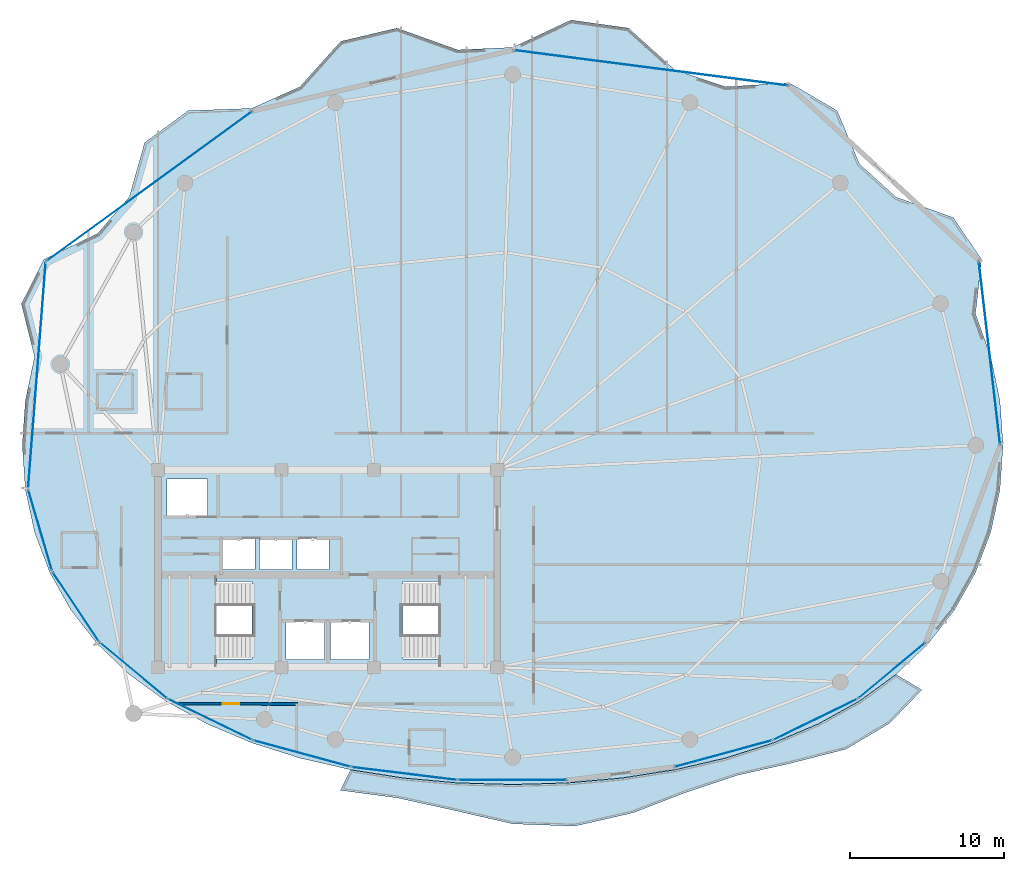
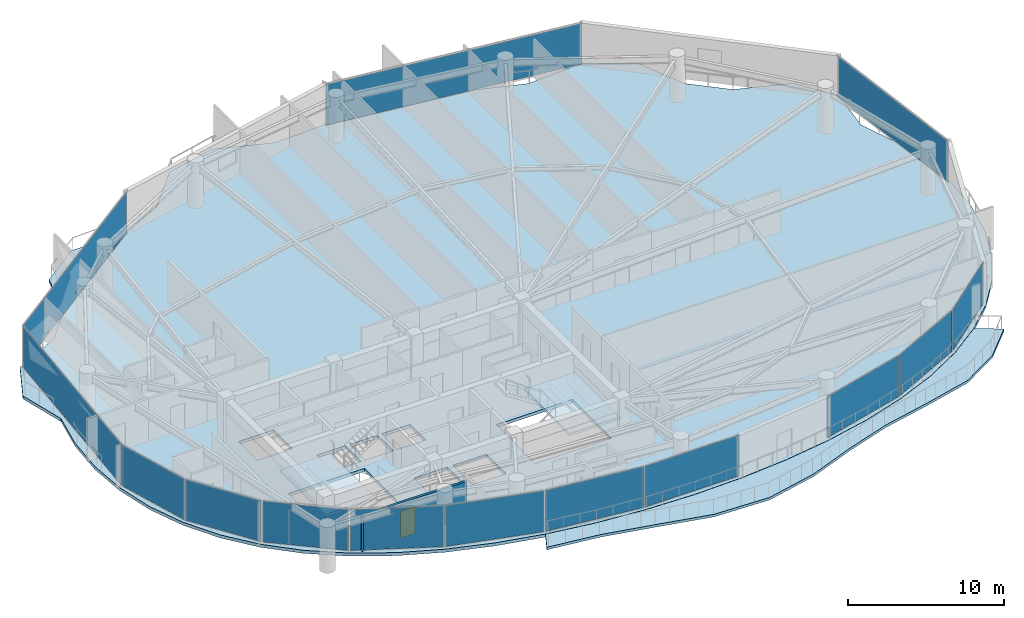
# One storey, part 24 of 31: 14 plates, 4 slabs, 1 door, 1 wall, 1 opening, 16 elements without a shape of their own.
"""IFC4 building model written with IfcOpenShell, lengths in metres."""

from ifc_helpers import new_model, si_unit, direction, frame, frame_2d, origin, origin_2d, place, context, subcontext, project, spatial, polyline, rectangle, outline, extrude, material, layer, layer_set, type_object, element, fill, aggregate, save


model = new_model("IFC4")

# Units and contexts
model_context = context("Model", 3, precision=1e-05, world=origin(), true_north=direction((0.0, 1.0)))
body_context = subcontext(model_context, "Body", "Model", "MODEL_VIEW")
ifc_project = project(units=[si_unit("LENGTHUNIT", "METRE"), si_unit("AREAUNIT", "SQUARE_METRE"), si_unit("VOLUMEUNIT", "CUBIC_METRE"), si_unit("PLANEANGLEUNIT", "RADIAN"), si_unit("MASSUNIT", "GRAM", prefix="KILO")], contexts=[model_context])

# Site, building, storey
site_placement = place(None, origin())
site = spatial("IfcSite", under=ifc_project, at=site_placement, CompositionType="ELEMENT")
building_placement = place(site_placement, origin())
building = spatial("IfcBuilding", under=site, at=building_placement, Name="Kazevale Care Tower and Concert Hall", CompositionType="ELEMENT")
storey_placement = place(building_placement, frame((0.0, 0.0, 220.800048828125)))
storey = spatial("IfcBuildingStorey", under=building, at=storey_placement, Name="L58", CompositionType="ELEMENT", Elevation=220.800048828125)

# Curtain wall, plate
ifc_material_1 = material(Name="Aluminium 6063-T6 and Low-E Glass", Category="aluminium")
ifc_layer_1 = layer(ifc_material_1, 0.179931640625)
ifc_layer_set_1 = layer_set([ifc_layer_1], Name="Aluminium 6063-T6 and Low-E Glass")
curtain_wall_type_1 = type_object("IfcCurtainWallType", Name="Waist & Upper Residential Curtain Wall CW-4", PredefinedType="NOTDEFINED", material=ifc_layer_set_1)
curtain_wall_1_placement = place(storey_placement, origin())
curtain_wall_1 = element("IfcCurtainWall", 1, at=curtain_wall_1_placement, inside=storey, type_object=curtain_wall_type_1, Name="cw:L58:f11", PredefinedType="NOTDEFINED")
ifc_material_2 = material(Name="Low-E Laminated Glass", Category="glass")
ifc_layer_2 = layer(ifc_material_2, 0.030029296875)
ifc_layer_set_2 = layer_set([ifc_layer_2], Name="Low-E Laminated Glass")
plate_type_1 = type_object("IfcPlateType", Name="CW-4 Low-E Glazing Panel 30mm", PredefinedType="CURTAIN_PANEL", material=ifc_layer_set_2)
plate_1_placement = place(storey_placement, frame((16.677978515625, 27.525390625, 0.080078125), z_axis=(0.0, 0.0, 1.0), x_axis=(-0.554616540853, 0.832106058512, 0.0)))
plate_1 = element("IfcPlate", 2, at=plate_1_placement, type_object=plate_type_1, Name="CW-4 panel 1.1", PredefinedType="CURTAIN_PANEL", context=body_context, shape_type="SweptSolid", body=[
    extrude(rectangle(XDim=5.357421875, YDim=0.030029296875, at=origin_2d()), origin(), (0.0, 0.0, 1.0), 3.199951171875),
])
aggregate(curtain_wall_1, [plate_1])

curtain_wall_2_placement = place(storey_placement, origin())
curtain_wall_2 = element("IfcCurtainWall", 3, at=curtain_wall_2_placement, inside=storey, type_object=curtain_wall_type_1, Name="cw:L58:f12", PredefinedType="NOTDEFINED")
plate_2_placement = place(storey_placement, frame((14.363525390625, 32.489013671875, 0.080078125), z_axis=(0.0, 0.0, 1.0), x_axis=(-0.282098184457, 0.959385539982, 0.0)))
plate_2 = element("IfcPlate", 4, at=plate_2_placement, type_object=plate_type_1, Name="CW-4 panel 1.1", PredefinedType="CURTAIN_PANEL", context=body_context, shape_type="SweptSolid", body=[
    extrude(rectangle(XDim=5.40185546875, YDim=0.030029296875, at=origin_2d()), origin(), (0.0, 0.0, 1.0), 3.199951171875),
])
aggregate(curtain_wall_2, [plate_2])

curtain_wall_3_placement = place(storey_placement, origin())
curtain_wall_3 = element("IfcCurtainWall", 5, at=curtain_wall_3_placement, inside=storey, type_object=curtain_wall_type_1, Name="cw:L58:f13", PredefinedType="NOTDEFINED")
plate_3_placement = place(storey_placement, frame((14.152587890625, 42.531005859375, 0.080078125), z_axis=(0.0, 0.0, 1.0), x_axis=(0.077539106325, 0.996989311372, 0.0)))
plate_3 = element("IfcPlate", 6, at=plate_3_placement, type_object=plate_type_1, Name="CW-4 panel 1.1", PredefinedType="CURTAIN_PANEL", context=body_context, shape_type="SweptSolid", body=[
    extrude(rectangle(XDim=14.632568359375, YDim=0.030029296875, at=origin_2d()), origin(), (0.0, 0.0, 1.0), 3.199951171875),
])
aggregate(curtain_wall_3, [plate_3])

curtain_wall_4_placement = place(storey_placement, origin())
curtain_wall_4 = element("IfcCurtainWall", 7, at=curtain_wall_4_placement, inside=storey, type_object=curtain_wall_type_1, Name="cw:L58:f14", PredefinedType="NOTDEFINED")
plate_4_placement = place(storey_placement, frame((21.424560546875, 54.785888671875, 0.080078125), z_axis=(0.0, 0.0, 1.0), x_axis=(0.808198348937, 0.588910374145, 0.0)))
plate_4 = element("IfcPlate", 8, at=plate_4_placement, type_object=plate_type_1, Name="CW-4 panel 1.1", PredefinedType="CURTAIN_PANEL", context=body_context, shape_type="SweptSolid", body=[
    extrude(rectangle(XDim=16.416259765625, YDim=0.030029296875, at=origin_2d()), origin(), (0.0, 0.0, 1.0), 3.199951171875),
])
aggregate(curtain_wall_4, [plate_4])

curtain_wall_5_placement = place(storey_placement, origin())
curtain_wall_5 = element("IfcCurtainWall", 9, at=curtain_wall_5_placement, inside=storey, type_object=curtain_wall_type_1, Name="cw:L58:f16", PredefinedType="NOTDEFINED")
plate_5_placement = place(storey_placement, frame((53.978515625, 62.468017578125, 0.080078125), z_axis=(0.0, 0.0, 1.0), x_axis=(0.991761497713, -0.128098132904, 0.0)))
plate_5 = element("IfcPlate", 10, at=plate_5_placement, type_object=plate_type_1, Name="CW-4 panel 1.1", PredefinedType="CURTAIN_PANEL", context=body_context, shape_type="SweptSolid", body=[
    extrude(rectangle(XDim=17.857421875, YDim=0.030029296875, at=origin_2d()), origin(), (0.0, 0.0, 1.0), 3.199951171875),
])
aggregate(curtain_wall_5, [plate_5])

curtain_wall_6_placement = place(storey_placement, origin())
curtain_wall_6 = element("IfcCurtainWall", 11, at=curtain_wall_6_placement, inside=storey, type_object=curtain_wall_type_1, Name="cw:L58:f18", PredefinedType="NOTDEFINED")
plate_6_placement = place(storey_placement, frame((75.92041015625, 43.99755859375, 0.080078125), z_axis=(0.0, 0.0, 1.0), x_axis=(0.115846659989, -0.993267109779, 0.0)))
plate_6 = element("IfcPlate", 12, at=plate_6_placement, type_object=plate_type_1, Name="CW-4 panel 1.1", PredefinedType="CURTAIN_PANEL", context=body_context, shape_type="SweptSolid", body=[
    extrude(rectangle(XDim=11.916259765625, YDim=0.030029296875, at=origin_2d()), origin(), (0.0, 0.0, 1.0), 3.199951171875),
])
aggregate(curtain_wall_6, [plate_6])

ifc_layer_3 = layer(ifc_material_1, 0.179931640625)
ifc_layer_set_3 = layer_set([ifc_layer_3], Name="Aluminium 6063-T6 and Low-E Glass")
curtain_wall_type_2 = type_object("IfcCurtainWallType", Name="Sheltered Concave Balcony Curtain Wall CW-5", PredefinedType="NOTDEFINED", material=ifc_layer_set_3)
curtain_wall_7_placement = place(storey_placement, origin())
curtain_wall_7 = element("IfcCurtainWall", 13, at=curtain_wall_7_placement, inside=storey, type_object=curtain_wall_type_2, Name="cw:L58:f02", PredefinedType="NOTDEFINED")
ifc_layer_4 = layer(ifc_material_2, 0.02587890625)
ifc_layer_set_4 = layer_set([ifc_layer_4], Name="Low-E Laminated Glass")
plate_type_2 = type_object("IfcPlateType", Name="CW-5 Low-E Glazing Panel 26mm", PredefinedType="CURTAIN_PANEL", material=ifc_layer_set_4)
plate_7_placement = place(storey_placement, frame((69.590576171875, 23.396484375, 0.074951171875), z_axis=(0.0, 0.0, 1.0), x_axis=(-0.768407210062, -0.639961217204, 0.0)))
plate_7 = element("IfcPlate", 14, at=plate_7_placement, type_object=plate_type_2, Name="CW-5 panel 1.1", PredefinedType="CURTAIN_PANEL", context=body_context, shape_type="SweptSolid", body=[
    extrude(rectangle(XDim=5.580078125, YDim=0.02587890625, at=origin_2d()), origin(), (0.0, 0.0, 1.0), 3.2099609375),
])
aggregate(curtain_wall_7, [plate_7])

curtain_wall_8_placement = place(storey_placement, origin())
curtain_wall_8 = element("IfcCurtainWall", 15, at=curtain_wall_8_placement, inside=storey, type_object=curtain_wall_type_2, Name="cw:L58:f03", PredefinedType="NOTDEFINED")
plate_8_placement = place(storey_placement, frame((64.62255859375, 20.218017578125, 0.074951171875), z_axis=(0.0, 0.0, 1.0), x_axis=(-0.89934566163, -0.437238357087, 0.0)))
plate_8 = element("IfcPlate", 16, at=plate_8_placement, type_object=plate_type_2, Name="CW-5 panel 1.1", PredefinedType="CURTAIN_PANEL", context=body_context, shape_type="SweptSolid", body=[
    extrude(rectangle(XDim=6.002197265625, YDim=0.02587890625, at=origin_2d()), origin(), (0.0, 0.0, 1.0), 3.2099609375),
])
aggregate(curtain_wall_8, [plate_8])

curtain_wall_9_placement = place(storey_placement, origin())
curtain_wall_9 = element("IfcCurtainWall", 17, at=curtain_wall_9_placement, inside=storey, type_object=curtain_wall_type_2, Name="cw:L58:f04", PredefinedType="NOTDEFINED")
plate_9_placement = place(storey_placement, frame((58.66259765625, 18.0029296875, 0.074951171875), z_axis=(0.0, 0.0, 1.0), x_axis=(-0.964836991167, -0.262848968947, 0.0)))
plate_9 = element("IfcPlate", 18, at=plate_9_placement, type_object=plate_type_2, Name="CW-5 panel 1.1", PredefinedType="CURTAIN_PANEL", context=body_context, shape_type="SweptSolid", body=[
    extrude(rectangle(XDim=6.4697265625, YDim=0.02587890625, at=origin_2d()), origin(), (0.0, 0.0, 1.0), 3.2099609375),
])
aggregate(curtain_wall_9, [plate_9])

curtain_wall_10_placement = place(storey_placement, origin())
curtain_wall_10 = element("IfcCurtainWall", 19, at=curtain_wall_10_placement, inside=storey, type_object=curtain_wall_type_2, Name="cw:L58:f06", PredefinedType="NOTDEFINED")
plate_10_placement = place(storey_placement, frame((45.0, 16.284912109375, 0.074951171875), z_axis=(0.0, 0.0, 1.0), x_axis=(-1.0, 0.0, 0.0)))
plate_10 = element("IfcPlate", 20, at=plate_10_placement, type_object=plate_type_2, Name="CW-5 panel 1.1", PredefinedType="CURTAIN_PANEL", context=body_context, shape_type="SweptSolid", body=[
    extrude(rectangle(XDim=6.949951171875, YDim=0.02587890625, at=origin_2d()), origin(), (0.0, 0.0, 1.0), 3.2099609375),
])
aggregate(curtain_wall_10, [plate_10])

curtain_wall_11_placement = place(storey_placement, origin())
curtain_wall_11 = element("IfcCurtainWall", 21, at=curtain_wall_11_placement, inside=storey, type_object=curtain_wall_type_2, Name="cw:L58:f07", PredefinedType="NOTDEFINED")
plate_11_placement = place(storey_placement, frame((37.990478515625, 16.708984375, 0.074951171875), z_axis=(0.0, 0.0, 1.0), x_axis=(-0.992572961225, 0.121650797964, 0.0)))
plate_11 = element("IfcPlate", 22, at=plate_11_placement, type_object=plate_type_2, Name="CW-5 panel 1.1", PredefinedType="CURTAIN_PANEL", context=body_context, shape_type="SweptSolid", body=[
    extrude(rectangle(XDim=6.82080078125, YDim=0.02587890625, at=origin_2d()), origin(), (0.0, 0.0, 1.0), 3.2099609375),
])
aggregate(curtain_wall_11, [plate_11])

curtain_wall_12_placement = place(storey_placement, origin())
curtain_wall_12 = element("IfcCurtainWall", 23, at=curtain_wall_12_placement, inside=storey, type_object=curtain_wall_type_2, Name="cw:L58:f08", PredefinedType="NOTDEFINED")
plate_12_placement = place(storey_placement, frame((31.33740234375, 18.0029296875, 0.074951171875), z_axis=(0.0, 0.0, 1.0), x_axis=(-0.964836991167, 0.262848968947, 0.0)))
plate_12 = element("IfcPlate", 24, at=plate_12_placement, type_object=plate_type_2, Name="CW-5 panel 1.1", PredefinedType="CURTAIN_PANEL", context=body_context, shape_type="SweptSolid", body=[
    extrude(rectangle(XDim=6.4697265625, YDim=0.02587890625, at=origin_2d()), origin(), (0.0, 0.0, 1.0), 3.2099609375),
])
aggregate(curtain_wall_12, [plate_12])

curtain_wall_13_placement = place(storey_placement, origin())
curtain_wall_13 = element("IfcCurtainWall", 25, at=curtain_wall_13_placement, inside=storey, type_object=curtain_wall_type_2, Name="cw:L58:f09", PredefinedType="NOTDEFINED")
plate_13_placement = place(storey_placement, frame((25.37744140625, 20.218017578125, 0.074951171875), z_axis=(0.0, 0.0, 1.0), x_axis=(-0.89934566163, 0.437238357087, 0.0)))
plate_13 = element("IfcPlate", 26, at=plate_13_placement, type_object=plate_type_2, Name="CW-5 panel 1.1", PredefinedType="CURTAIN_PANEL", context=body_context, shape_type="SweptSolid", body=[
    extrude(rectangle(XDim=6.002197265625, YDim=0.02587890625, at=origin_2d()), origin(), (0.0, 0.0, 1.0), 3.2099609375),
])
aggregate(curtain_wall_13, [plate_13])

curtain_wall_14_placement = place(storey_placement, origin())
curtain_wall_14 = element("IfcCurtainWall", 27, at=curtain_wall_14_placement, inside=storey, type_object=curtain_wall_type_2, Name="cw:L58:f10", PredefinedType="NOTDEFINED")
plate_14_placement = place(storey_placement, frame((20.409423828125, 23.396484375, 0.074951171875), z_axis=(0.0, 0.0, 1.0), x_axis=(-0.768407210062, 0.639961217204, 0.0)))
plate_14 = element("IfcPlate", 28, at=plate_14_placement, type_object=plate_type_2, Name="CW-5 panel 1.1", PredefinedType="CURTAIN_PANEL", context=body_context, shape_type="SweptSolid", body=[
    extrude(rectangle(XDim=5.580078125, YDim=0.02587890625, at=origin_2d()), origin(), (0.0, 0.0, 1.0), 3.2099609375),
])
aggregate(curtain_wall_14, [plate_14])

# Slab
ifc_material_3 = material(Name="Concrete C40", Category="concrete")
ifc_layer_5 = layer(ifc_material_3, 0.199951171875)
ifc_layer_set_5 = layer_set([ifc_layer_5], Name="Concrete C40")
slab_type_1 = type_object("IfcSlabType", Name="Sinusoidal Concave Balcony Slab 200", PredefinedType="USERDEFINED", material=ifc_layer_set_5)
slab_1_placement = place(storey_placement, frame((0.0, 0.0, -0.199951171875)))
element("IfcSlab", 29, at=slab_1_placement, inside=storey, type_object=slab_type_1, Name="slab:L58:bal", ObjectType="BALCONY", PredefinedType="USERDEFINED", context=body_context, shape_type="SweptSolid", body=[
    extrude(outline(polyline([(71.53662109375, 22.135986328125), (69.438720703125, 19.97021484375), (66.624755859375, 18.2958984375), (63.072021484375, 17.387939453125), (59.55908203125, 16.593994140625), (56.234130859375, 15.49072265625), (52.81591796875, 14.166748046875), (49.016845703125, 13.29931640625), (45.0, 13.4482421875), (41.151611328125, 14.333740234375), (37.50244140625, 15.13720703125), (33.83203125, 15.62353515625), (34.494873046875, 16.951416015625), (34.49609375, 16.951171875), (37.923095703125, 16.417236328125), (41.439208984375, 16.10009765625), (45.0, 15.9951171875), (48.560791015625, 16.10009765625), (52.076904296875, 16.417236328125), (55.50390625, 16.951171875), (58.798828125, 17.708740234375), (61.92041015625, 18.69873046875), (64.8291015625, 19.92919921875), (67.48876953125, 21.406494140625), (69.865478515625, 23.133056640625), (69.86669921875, 23.13427734375), (71.53662109375, 22.135986328125)])), origin(), (0.0, 0.0, 1.0), 0.199951171875),
])

# Stair, slab
stair_type = type_object("IfcStairType", Name="Exit Stair Assembly ST1-Z3", PredefinedType="HALF_TURN_STAIR", material=ifc_material_3)
stair_1_placement = place(storey_placement, origin())
stair_1 = element("IfcStair", 30, at=stair_1_placement, inside=storey, type_object=stair_type, Name="stair:L58:ST1", PredefinedType="HALF_TURN_STAIR")
ifc_layer_6 = layer(ifc_material_3, 0.199951171875)
ifc_layer_set_6 = layer_set([ifc_layer_6], Name="Concrete C40")
slab_type_2 = type_object("IfcSlabType", Name="Stair Half-Landing Slab ST1-Z3", PredefinedType="LANDING", material=ifc_layer_set_6)
slab_2_placement = place(storey_placement, frame((0.0, 0.0, 1.599853515625)))
slab_2 = element("IfcSlab", 31, at=slab_2_placement, type_object=slab_type_2, Name="ST1-Z3 landing 1", PredefinedType="LANDING", context=body_context, shape_type="SweptSolid", body=[
    extrude(outline(polyline([(22.050048828125, 23.699951171875), (25.81005859375, 23.699951171875), (25.81005859375, 29.5), (22.050048828125, 29.5), (22.050048828125, 23.699951171875)])), origin(), (0.0, 0.0, 1.0), 0.2001953125),
])
aggregate(stair_1, [slab_2])

stair_2_placement = place(storey_placement, origin())
stair_2 = element("IfcStair", 32, at=stair_2_placement, inside=storey, type_object=stair_type, Name="stair:L58:ST2", PredefinedType="HALF_TURN_STAIR")
slab_3_placement = place(storey_placement, frame((0.0, 0.0, 1.599853515625)))
slab_3 = element("IfcSlab", 33, at=slab_3_placement, type_object=slab_type_2, Name="ST1-Z3 landing 1", PredefinedType="LANDING", context=body_context, shape_type="SweptSolid", body=[
    extrude(outline(polyline([(40.18994140625, 23.699951171875), (43.949951171875, 23.699951171875), (43.949951171875, 29.5), (40.18994140625, 29.5), (40.18994140625, 23.699951171875)])), origin(), (0.0, 0.0, 1.0), 0.2001953125),
])
aggregate(stair_2, [slab_3])

# Slab
ifc_layer_7 = layer(ifc_material_3, 0.239990234375)
ifc_layer_set_7 = layer_set([ifc_layer_7], Name="Concrete C40")
slab_type_3 = type_object("IfcSlabType", Name="Tower Typical Floor Slab 240", PredefinedType="FLOOR", material=ifc_layer_set_7)
slab_4_placement = place(storey_placement, frame((0.0, 0.0, -0.239990234375)))
element("IfcSlab", 34, at=slab_4_placement, inside=storey, type_object=slab_type_3, Name="slab:L58:tw:1", PredefinedType="FLOOR", context=body_context, shape_type="SweptSolid", body=[
    extrude(outline(polyline([(76.800048828125, 38.0), (76.60009765625, 40.888671875), (76.002685546875, 43.740966796875), (75.015380859375, 46.521240234375), (75.40771484375, 50.040283203125), (73.576904296875, 52.763916015625), (69.8623046875, 54.0859375), (67.486083984375, 56.243408203125), (66.042724609375, 59.69580078125), (62.9560546875, 61.49658203125), (58.797607421875, 61.2451171875), (55.5029296875, 62.352294921875), (52.510009765625, 65.05419921875), (48.77880859375, 65.575439453125), (45.0, 63.800048828125), (41.439453125, 63.6376953125), (37.489990234375, 65.05419921875), (33.85302734375, 64.19287109375), (31.202392578125, 61.2451171875), (28.081298828125, 59.845458984375), (23.957275390625, 59.69580078125), (21.135009765625, 57.622314453125), (20.1376953125, 54.0859375), (18.07421875, 51.726318359375), (14.59228515625, 50.040283203125), (13.143798828125, 47.165283203125), (13.997314453125, 43.740966796875), (13.39990234375, 40.888671875), (13.199951171875, 38.0), (13.39990234375, 35.131103515625), (13.997314453125, 32.362060546875), (14.984619140625, 29.744873046875), (16.34912109375, 27.318115234375), (18.07421875, 25.109130859375), (20.1376953125, 23.13671875), (22.513916015625, 21.41064453125), (25.173095703125, 19.933837890625), (28.081298828125, 18.70361328125), (31.202392578125, 17.713623046875), (34.4970703125, 16.9560546875), (37.923828125, 16.422119140625), (41.439453125, 16.10498046875), (45.0, 16.0), (48.560546875, 16.10498046875), (52.076171875, 16.422119140625), (55.5029296875, 16.9560546875), (58.797607421875, 17.713623046875), (61.918701171875, 18.70361328125), (64.826904296875, 19.933837890625), (67.486083984375, 21.41064453125), (69.8623046875, 23.13671875), (71.92578125, 25.109130859375), (73.65087890625, 27.318115234375), (75.015380859375, 29.744873046875), (76.002685546875, 32.362060546875), (76.60009765625, 35.131103515625), (76.800048828125, 38.0)]), holes=[polyline([(22.449951171875, 24.14990234375), (28.110107421875, 24.14990234375), (28.110107421875, 29.14990234375), (22.449951171875, 29.14990234375), (22.449951171875, 24.14990234375)]), polyline([(37.889892578125, 24.14990234375), (43.550048828125, 24.14990234375), (43.550048828125, 29.14990234375), (37.889892578125, 29.14990234375), (37.889892578125, 24.14990234375)]), polyline([(30.300048828125, 24.10009765625), (32.800048828125, 24.10009765625), (32.800048828125, 26.60009765625), (30.300048828125, 26.60009765625), (30.300048828125, 24.10009765625)]), polyline([(33.199951171875, 24.10009765625), (35.699951171875, 24.10009765625), (35.699951171875, 26.60009765625), (33.199951171875, 26.60009765625), (33.199951171875, 24.10009765625)]), polyline([(22.60009765625, 33.39990234375), (25.199951171875, 33.39990234375), (25.199951171875, 35.800048828125), (22.60009765625, 35.800048828125), (22.60009765625, 33.39990234375)]), polyline([(26.199951171875, 29.949951171875), (28.300048828125, 29.949951171875), (28.300048828125, 31.949951171875), (26.199951171875, 31.949951171875), (26.199951171875, 29.949951171875)]), polyline([(28.60009765625, 29.949951171875), (30.699951171875, 29.949951171875), (30.699951171875, 31.949951171875), (28.60009765625, 31.949951171875), (28.60009765625, 29.949951171875)]), polyline([(31.0, 29.949951171875), (33.10009765625, 29.949951171875), (33.10009765625, 31.949951171875), (31.0, 31.949951171875), (31.0, 29.949951171875)])]), origin(), (0.0, 0.0, 1.0), 0.239990234375),
])

# Wall, opening, door
ifc_material_4 = material(Name="Concrete C40 and Acoustic Gypsum", Category="concrete")
ifc_layer_8 = layer(ifc_material_4, 0.179931640625)
ifc_layer_set_8 = layer_set([ifc_layer_8], Name="Concrete C40 and Acoustic Gypsum")
wall_type = type_object("IfcWallType", Name="Fire-Rated Corridor & Party Wall 180", PredefinedType="PARTITIONING", material=ifc_layer_set_8)
wall_placement = place(storey_placement, frame((31.06494140625, 21.22509765625, 0.0), z_axis=(0.0, 0.0, 1.0), x_axis=(-0.999997658061, 0.002164225532, 0.0)))
wall = element("IfcWall", 35, at=wall_placement, inside=storey, type_object=wall_type, Name="wall:L58:auto_016", PredefinedType="PARTITIONING", context=body_context, shape_type="SweptSolid", body=[
    extrude(rectangle(XDim=7.78369140625, YDim=0.179931640625, at=frame_2d((3.891845703125, 0.0))), origin(), (0.0, 0.0, 1.0), 2.805908203125),
])
opening_placement = place(wall_placement, frame((3.779052734375, 0.0, 0.0)))
opening = element("IfcOpeningElement", 36, at=opening_placement, cuts=wall, Name="Opening ID-1100", PredefinedType="OPENING", context=body_context, shape_type="SweptSolid", body=[
    extrude(rectangle(XDim=1.10009765625, YDim=2.10009765625, at=frame_2d((0.550048828125, 1.050048828125))), frame((0.0, 0.099853515625, 0.0), z_axis=(0.0, -1.0, 0.0), x_axis=(1.0, 0.0, 0.0)), (0.0, 0.0, 1.0), 0.199951171875),
])
ifc_material_5 = material(Name="Oak Timber Fire Leaf", Category="wood")
door_type = type_object("IfcDoorType", Name="Care Bedroom Accessible Door 1100x2100", OperationType="NOTDEFINED", PredefinedType="DOOR", material=ifc_material_5)
door_placement = place(opening_placement, origin())
door = element("IfcDoor", 37, at=door_placement, inside=storey, type_object=door_type, Name="door:L58:ad_016", OperationType="SINGLE_SWING_LEFT", OverallHeight=2.10009765625, OverallWidth=1.10009765625, PredefinedType="DOOR", context=body_context, shape_type="SweptSolid", body=[
    extrude(rectangle(XDim=1.10009765625, YDim=2.10009765625, at=frame_2d((0.550048828125, 1.050048828125))), frame((0.0, 0.02490234375, 0.0), z_axis=(0.0, -1.0, 0.0), x_axis=(1.0, 0.0, 0.0)), (0.0, 0.0, 1.0), 0.050048828125),
])
fill(opening, door)

save(model, "model.ifc")
